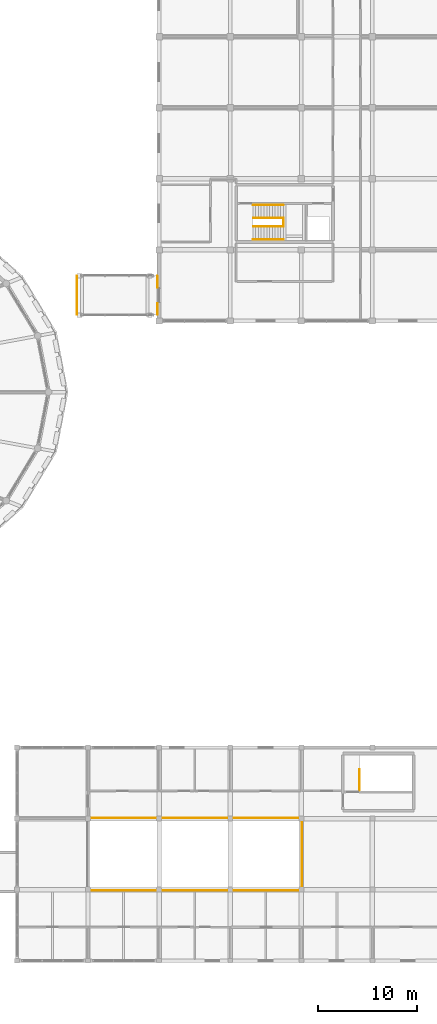
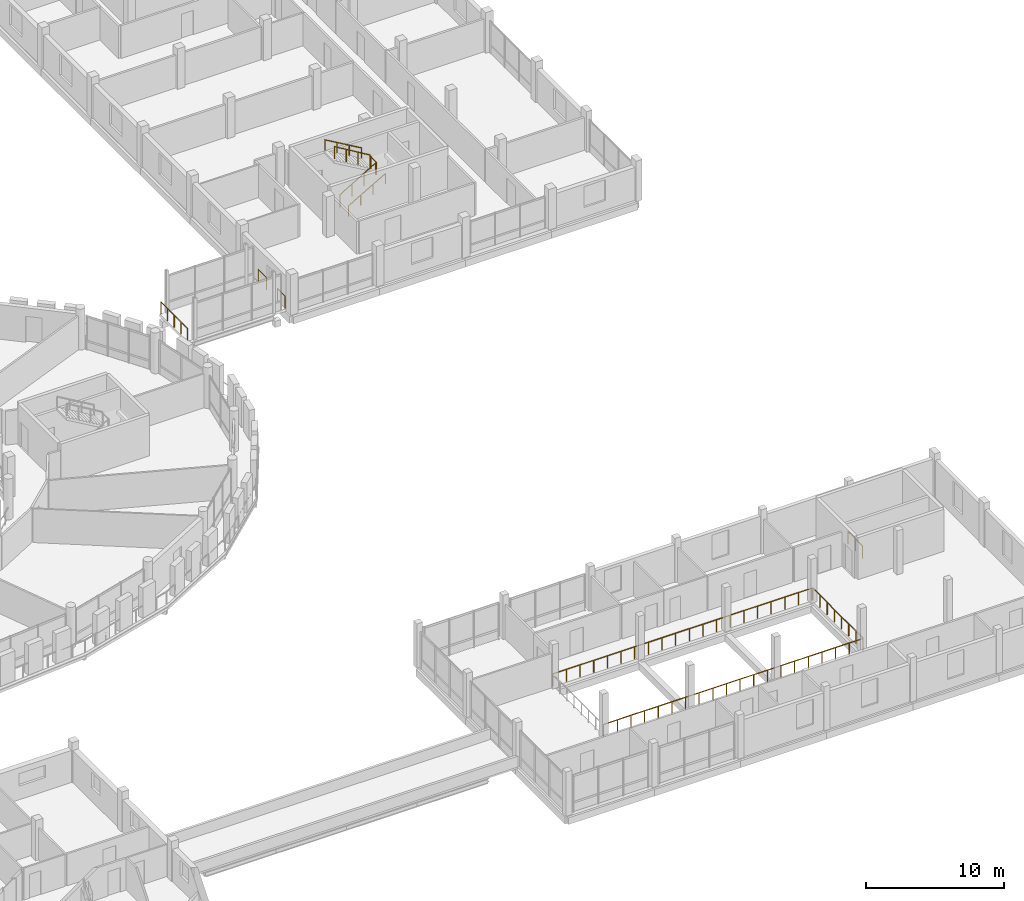
# One storey, part 127 of 128: 12 railings.
"""IFC4 building model written with IfcOpenShell, lengths in metres."""

from ifc_helpers import new_model, si_unit, direction, frame, origin, origin_2d, place, context, subcontext, project, spatial, circle, extrude, material, type_object, element, save


model = new_model("IFC4")

# Units and contexts
model_context = context("Model", 3, precision=1e-05, world=origin(), true_north=direction((0.0, 1.0)))
body_context = subcontext(model_context, "Body", "Model", "MODEL_VIEW")
ifc_project = project(units=[si_unit("LENGTHUNIT", "METRE"), si_unit("AREAUNIT", "SQUARE_METRE"), si_unit("VOLUMEUNIT", "CUBIC_METRE"), si_unit("PLANEANGLEUNIT", "RADIAN"), si_unit("MASSUNIT", "GRAM", prefix="KILO")], contexts=[model_context])

# Site, building, storey
site_placement = place(None, origin())
site = spatial("IfcSite", under=ifc_project, at=site_placement, CompositionType="ELEMENT")
building_placement = place(site_placement, origin())
building = spatial("IfcBuilding", under=site, at=building_placement, Name="Zornivar Specialist Clinic", CompositionType="ELEMENT")
storey_placement = place(building_placement, frame((0.0, 0.0, 4.5)))
storey = spatial("IfcBuildingStorey", under=building, at=storey_placement, Name="L01", CompositionType="ELEMENT", Elevation=4.5)

# Railings
ifc_material_1 = material(Name="Painted Steel and Oiled Timber Balustrade", Category="steel")
railing_type_1 = type_object("IfcRailingType", Name="GRD-EXT-BALUST-1100", PredefinedType="BALUSTRADE", material=ifc_material_1)
railing_1_placement = place(storey_placement, frame((128.4599609375, 65.4599609375, 0.0)))
element("IfcRailing", 1, at=railing_1_placement, inside=storey, type_object=railing_type_1, Name="rail:BR3:L01:endW", PredefinedType="BALUSTRADE", context=body_context, shape_type="SweptSolid", body=[
    extrude(circle(Radius=0.02392578125, at=origin_2d()), frame((0.0, 0.0, 1.076171875), z_axis=(0.0, 1.0, 0.0), x_axis=(-1.0, 0.0, 0.0)), (0.0, 0.0, 1.0), 3.880126953125),
    extrude(circle(Radius=0.02099609375, at=origin_2d()), origin(), (0.0, 0.0, 1.0), 1.052001953125),
    extrude(circle(Radius=0.02099609375, at=origin_2d()), frame((0.0, 0.969970703125, 0.0)), (0.0, 0.0, 1.0), 1.052001953125),
    extrude(circle(Radius=0.02099609375, at=origin_2d()), frame((0.0, 1.93994140625, 0.0)), (0.0, 0.0, 1.0), 1.052001953125),
    extrude(circle(Radius=0.02099609375, at=origin_2d()), frame((0.0, 2.91015625, 0.0)), (0.0, 0.0, 1.0), 1.052001953125),
    extrude(circle(Radius=0.02099609375, at=origin_2d()), frame((0.0, 3.880126953125, 0.0)), (0.0, 0.0, 1.0), 1.052001953125),
])
for number, where, name in (
    (2, (136.6201171875, 65.4599609375, 0.0), "rail:BR3:L01:endE_S"),
    (3, (136.6201171875, 68.199951171875, 0.0), "rail:BR3:L01:endE_N"),
):
    element("IfcRailing", number, at=place(storey_placement, frame(where)), inside=storey, type_object=railing_type_1, Name=name, PredefinedType="BALUSTRADE", context=body_context, shape_type="SweptSolid", body=[
        extrude(circle(Radius=0.02392578125, at=origin_2d()), frame((0.0, 0.0, 1.076171875), z_axis=(0.0, 1.0, 0.0), x_axis=(-1.0, 0.0, 0.0)), (0.0, 0.0, 1.0), 1.14013671875),
        extrude(circle(Radius=0.02099609375, at=origin_2d()), origin(), (0.0, 0.0, 1.0), 1.052001953125),
        extrude(circle(Radius=0.02099609375, at=origin_2d()), frame((0.0, 1.14013671875, 0.0)), (0.0, 0.0, 1.0), 1.052001953125),
    ])
ifc_material_2 = material(Name="Brushed Stainless Steel Stair Guardrail", Category="steel")
railing_type_2 = type_object("IfcRailingType", Name="GRD-INT-STAIR-1100", PredefinedType="GUARDRAIL", material=ifc_material_2)
railing_2_placement = place(storey_placement, frame((157.070068359375, 17.260009765625, 0.0)))
element("IfcRailing", 4, at=railing_2_placement, inside=storey, type_object=railing_type_2, Name="sg:C6:L01:topwell", PredefinedType="GUARDRAIL", context=body_context, shape_type="SweptSolid", body=[
    extrude(circle(Radius=0.02392578125, at=origin_2d()), frame((0.0, 0.0, 1.076171875), z_axis=(0.0, 1.0, 0.0), x_axis=(-1.0, 0.0, 0.0)), (0.0, 0.0, 1.0), 2.119873046875),
    extrude(circle(Radius=0.02099609375, at=origin_2d()), origin(), (0.0, 0.0, 1.0), 1.052001953125),
    extrude(circle(Radius=0.02099609375, at=origin_2d()), frame((0.0, 1.06005859375, 0.0)), (0.0, 0.0, 1.0), 1.052001953125),
    extrude(circle(Radius=0.02099609375, at=origin_2d()), frame((0.0, 2.119873046875, 0.0)), (0.0, 0.0, 1.0), 1.052001953125),
])
railing_3_placement = place(storey_placement, frame((146.340087890625, 74.3798828125, 0.162109375)))
element("IfcRailing", 5, at=railing_3_placement, inside=storey, type_object=railing_type_2, Name="stair:C9:L01:grd1", PredefinedType="GUARDRAIL", context=body_context, shape_type="SweptSolid", body=[
    extrude(circle(Radius=0.02392578125, at=origin_2d()), frame((0.0, 0.0, 1.076171875), z_axis=(0.859025016629, 0.0, 0.511933609764), x_axis=(0.0, 1.0, 0.0)), (0.0, 0.0, 1.0), 3.492431640625),
    extrude(circle(Radius=0.02099609375, at=origin_2d()), origin(), (0.0, 0.0, 1.0), 1.052001953125),
    extrude(circle(Radius=0.02099609375, at=origin_2d()), frame((1.0, 0.0, 0.595947265625)), (0.0, 0.0, 1.0), 1.052001953125),
    extrude(circle(Radius=0.02099609375, at=origin_2d()), frame((2.0, 0.0, 1.19189453125)), (0.0, 0.0, 1.0), 1.052001953125),
    extrude(circle(Radius=0.02099609375, at=origin_2d()), frame((3.0, 0.0, 1.787841796875)), (0.0, 0.0, 1.0), 1.052001953125),
])
railing_4_placement = place(storey_placement, frame((149.340087890625, 75.219970703125, 2.112060546875)))
element("IfcRailing", 6, at=railing_4_placement, inside=storey, type_object=railing_type_2, Name="stair:C9:L01:grd2", PredefinedType="GUARDRAIL", context=body_context, shape_type="SweptSolid", body=[
    extrude(circle(Radius=0.02392578125, at=origin_2d()), frame((0.0, 0.0, 1.076171875), z_axis=(-0.857511521609, 0.0, 0.514464760998), x_axis=(0.0, -1.0, 0.0)), (0.0, 0.0, 1.0), 3.47509765625),
    extrude(circle(Radius=0.02099609375, at=origin_2d()), origin(), (0.0, 0.0, 1.0), 1.052001953125),
    extrude(circle(Radius=0.02099609375, at=origin_2d()), frame((-0.993408203125, 0.0, 0.595947265625)), (0.0, 0.0, 1.0), 1.052001953125),
    extrude(circle(Radius=0.02099609375, at=origin_2d()), frame((-1.986572265625, 0.0, 1.19189453125)), (0.0, 0.0, 1.0), 1.052001953125),
    extrude(circle(Radius=0.02099609375, at=origin_2d()), frame((-2.97998046875, 0.0, 1.787841796875)), (0.0, 0.0, 1.0), 1.052001953125),
])
railing_5_placement = place(storey_placement, frame((149.409912109375, 74.3798828125, 1.949951171875)))
element("IfcRailing", 7, at=railing_5_placement, inside=storey, type_object=railing_type_2, Name="stair:C9:L01:grdl", PredefinedType="GUARDRAIL", context=body_context, shape_type="SweptSolid", body=[
    extrude(circle(Radius=0.02392578125, at=origin_2d()), frame((0.0, 0.0, 1.076171875), z_axis=(0.0, 1.0, 0.0), x_axis=(-1.0, 0.0, 0.0)), (0.0, 0.0, 1.0), 0.840087890625),
    extrude(circle(Radius=0.02099609375, at=origin_2d()), origin(), (0.0, 0.0, 1.0), 1.052001953125),
    extrude(circle(Radius=0.02099609375, at=origin_2d()), frame((0.0, 0.840087890625, 0.0)), (0.0, 0.0, 1.0), 1.052001953125),
])
railing_6_placement = place(storey_placement, frame((129.56005859375, 7.1201171875, 0.0)))
element("IfcRailing", 8, at=railing_6_placement, inside=storey, type_object=railing_type_2, Name="sg:V4:L01:void:S", PredefinedType="GUARDRAIL", context=body_context, shape_type="SweptSolid", body=[
    extrude(circle(Radius=0.02392578125, at=origin_2d()), frame((0.0, 0.0, 1.076171875), z_axis=(1.0, 0.0, 0.0), x_axis=(0.0, 1.0, 0.0)), (0.0, 0.0, 1.0), 21.679931640625),
    extrude(circle(Radius=0.02099609375, at=origin_2d()), origin(), (0.0, 0.0, 1.0), 1.052001953125),
    extrude(circle(Radius=0.02099609375, at=origin_2d()), frame((1.14111328125, 0.0, 0.0)), (0.0, 0.0, 1.0), 1.052001953125),
    extrude(circle(Radius=0.02099609375, at=origin_2d()), frame((2.281982421875, 0.0, 0.0)), (0.0, 0.0, 1.0), 1.052001953125),
    extrude(circle(Radius=0.02099609375, at=origin_2d()), frame((3.423095703125, 0.0, 0.0)), (0.0, 0.0, 1.0), 1.052001953125),
    extrude(circle(Radius=0.02099609375, at=origin_2d()), frame((4.564208984375, 0.0, 0.0)), (0.0, 0.0, 1.0), 1.052001953125),
    extrude(circle(Radius=0.02099609375, at=origin_2d()), frame((5.705322265625, 0.0, 0.0)), (0.0, 0.0, 1.0), 1.052001953125),
    extrude(circle(Radius=0.02099609375, at=origin_2d()), frame((6.84619140625, 0.0, 0.0)), (0.0, 0.0, 1.0), 1.052001953125),
    extrude(circle(Radius=0.02099609375, at=origin_2d()), frame((7.9873046875, 0.0, 0.0)), (0.0, 0.0, 1.0), 1.052001953125),
    extrude(circle(Radius=0.02099609375, at=origin_2d()), frame((9.12841796875, 0.0, 0.0)), (0.0, 0.0, 1.0), 1.052001953125),
    extrude(circle(Radius=0.02099609375, at=origin_2d()), frame((10.26953125, 0.0, 0.0)), (0.0, 0.0, 1.0), 1.052001953125),
    extrude(circle(Radius=0.02099609375, at=origin_2d()), frame((11.410400390625, 0.0, 0.0)), (0.0, 0.0, 1.0), 1.052001953125),
    extrude(circle(Radius=0.02099609375, at=origin_2d()), frame((12.551513671875, 0.0, 0.0)), (0.0, 0.0, 1.0), 1.052001953125),
    extrude(circle(Radius=0.02099609375, at=origin_2d()), frame((13.692626953125, 0.0, 0.0)), (0.0, 0.0, 1.0), 1.052001953125),
    extrude(circle(Radius=0.02099609375, at=origin_2d()), frame((14.833740234375, 0.0, 0.0)), (0.0, 0.0, 1.0), 1.052001953125),
    extrude(circle(Radius=0.02099609375, at=origin_2d()), frame((15.974609375, 0.0, 0.0)), (0.0, 0.0, 1.0), 1.052001953125),
    extrude(circle(Radius=0.02099609375, at=origin_2d()), frame((17.11572265625, 0.0, 0.0)), (0.0, 0.0, 1.0), 1.052001953125),
    extrude(circle(Radius=0.02099609375, at=origin_2d()), frame((18.2568359375, 0.0, 0.0)), (0.0, 0.0, 1.0), 1.052001953125),
    extrude(circle(Radius=0.02099609375, at=origin_2d()), frame((19.39794921875, 0.0, 0.0)), (0.0, 0.0, 1.0), 1.052001953125),
    extrude(circle(Radius=0.02099609375, at=origin_2d()), frame((20.538818359375, 0.0, 0.0)), (0.0, 0.0, 1.0), 1.052001953125),
    extrude(circle(Radius=0.02099609375, at=origin_2d()), frame((21.679931640625, 0.0, 0.0)), (0.0, 0.0, 1.0), 1.052001953125),
])
railing_7_placement = place(storey_placement, frame((151.280029296875, 7.159912109375, 0.0)))
element("IfcRailing", 9, at=railing_7_placement, inside=storey, type_object=railing_type_2, Name="sg:V4:L01:void:E", PredefinedType="GUARDRAIL", context=body_context, shape_type="SweptSolid", body=[
    extrude(circle(Radius=0.02392578125, at=origin_2d()), frame((0.0, 0.0, 1.076171875), z_axis=(0.0, 1.0, 0.0), x_axis=(-1.0, 0.0, 0.0)), (0.0, 0.0, 1.0), 7.280029296875),
    extrude(circle(Radius=0.02099609375, at=origin_2d()), origin(), (0.0, 0.0, 1.0), 1.052001953125),
    extrude(circle(Radius=0.02099609375, at=origin_2d()), frame((0.0, 1.0400390625, 0.0)), (0.0, 0.0, 1.0), 1.052001953125),
    extrude(circle(Radius=0.02099609375, at=origin_2d()), frame((0.0, 2.080078125, 0.0)), (0.0, 0.0, 1.0), 1.052001953125),
    extrude(circle(Radius=0.02099609375, at=origin_2d()), frame((0.0, 3.1201171875, 0.0)), (0.0, 0.0, 1.0), 1.052001953125),
    extrude(circle(Radius=0.02099609375, at=origin_2d()), frame((0.0, 4.159912109375, 0.0)), (0.0, 0.0, 1.0), 1.052001953125),
    extrude(circle(Radius=0.02099609375, at=origin_2d()), frame((0.0, 5.199951171875, 0.0)), (0.0, 0.0, 1.0), 1.052001953125),
    extrude(circle(Radius=0.02099609375, at=origin_2d()), frame((0.0, 6.239990234375, 0.0)), (0.0, 0.0, 1.0), 1.052001953125),
    extrude(circle(Radius=0.02099609375, at=origin_2d()), frame((0.0, 7.280029296875, 0.0)), (0.0, 0.0, 1.0), 1.052001953125),
])
railing_8_placement = place(storey_placement, frame((151.239990234375, 14.47998046875, 0.0)))
element("IfcRailing", 10, at=railing_8_placement, inside=storey, type_object=railing_type_2, Name="sg:V4:L01:void:N", PredefinedType="GUARDRAIL", context=body_context, shape_type="SweptSolid", body=[
    extrude(circle(Radius=0.02392578125, at=origin_2d()), frame((0.0, 0.0, 1.076171875), z_axis=(-1.0, 0.0, 0.0), x_axis=(0.0, -1.0, 0.0)), (0.0, 0.0, 1.0), 21.679931640625),
    extrude(circle(Radius=0.02099609375, at=origin_2d()), origin(), (0.0, 0.0, 1.0), 1.052001953125),
    extrude(circle(Radius=0.02099609375, at=origin_2d()), frame((-1.14111328125, 0.0, 0.0)), (0.0, 0.0, 1.0), 1.052001953125),
    extrude(circle(Radius=0.02099609375, at=origin_2d()), frame((-2.281982421875, 0.0, 0.0)), (0.0, 0.0, 1.0), 1.052001953125),
    extrude(circle(Radius=0.02099609375, at=origin_2d()), frame((-3.423095703125, 0.0, 0.0)), (0.0, 0.0, 1.0), 1.052001953125),
    extrude(circle(Radius=0.02099609375, at=origin_2d()), frame((-4.564208984375, 0.0, 0.0)), (0.0, 0.0, 1.0), 1.052001953125),
    extrude(circle(Radius=0.02099609375, at=origin_2d()), frame((-5.705322265625, 0.0, 0.0)), (0.0, 0.0, 1.0), 1.052001953125),
    extrude(circle(Radius=0.02099609375, at=origin_2d()), frame((-6.84619140625, 0.0, 0.0)), (0.0, 0.0, 1.0), 1.052001953125),
    extrude(circle(Radius=0.02099609375, at=origin_2d()), frame((-7.9873046875, 0.0, 0.0)), (0.0, 0.0, 1.0), 1.052001953125),
    extrude(circle(Radius=0.02099609375, at=origin_2d()), frame((-9.12841796875, 0.0, 0.0)), (0.0, 0.0, 1.0), 1.052001953125),
    extrude(circle(Radius=0.02099609375, at=origin_2d()), frame((-10.26953125, 0.0, 0.0)), (0.0, 0.0, 1.0), 1.052001953125),
    extrude(circle(Radius=0.02099609375, at=origin_2d()), frame((-11.410400390625, 0.0, 0.0)), (0.0, 0.0, 1.0), 1.052001953125),
    extrude(circle(Radius=0.02099609375, at=origin_2d()), frame((-12.551513671875, 0.0, 0.0)), (0.0, 0.0, 1.0), 1.052001953125),
    extrude(circle(Radius=0.02099609375, at=origin_2d()), frame((-13.692626953125, 0.0, 0.0)), (0.0, 0.0, 1.0), 1.052001953125),
    extrude(circle(Radius=0.02099609375, at=origin_2d()), frame((-14.833740234375, 0.0, 0.0)), (0.0, 0.0, 1.0), 1.052001953125),
    extrude(circle(Radius=0.02099609375, at=origin_2d()), frame((-15.974609375, 0.0, 0.0)), (0.0, 0.0, 1.0), 1.052001953125),
    extrude(circle(Radius=0.02099609375, at=origin_2d()), frame((-17.11572265625, 0.0, 0.0)), (0.0, 0.0, 1.0), 1.052001953125),
    extrude(circle(Radius=0.02099609375, at=origin_2d()), frame((-18.2568359375, 0.0, 0.0)), (0.0, 0.0, 1.0), 1.052001953125),
    extrude(circle(Radius=0.02099609375, at=origin_2d()), frame((-19.39794921875, 0.0, 0.0)), (0.0, 0.0, 1.0), 1.052001953125),
    extrude(circle(Radius=0.02099609375, at=origin_2d()), frame((-20.538818359375, 0.0, 0.0)), (0.0, 0.0, 1.0), 1.052001953125),
    extrude(circle(Radius=0.02099609375, at=origin_2d()), frame((-21.679931640625, 0.0, 0.0)), (0.0, 0.0, 1.0), 1.052001953125),
])
ifc_material_3 = material(Name="Brushed Stainless Steel Continuous Handrail", Category="steel")
railing_type_3 = type_object("IfcRailingType", Name="HRL-STAIR-0920", PredefinedType="HANDRAIL", material=ifc_material_3)
railing_9_placement = place(storey_placement, frame((146.300048828125, 73.070068359375, 0.162109375)))
element("IfcRailing", 11, at=railing_9_placement, inside=storey, type_object=railing_type_3, Name="stair:C9:L01:hr1", PredefinedType="HANDRAIL", context=body_context, shape_type="SweptSolid", body=[
    extrude(circle(Radius=0.02392578125, at=origin_2d()), frame((0.0, 0.0, 0.89599609375), z_axis=(0.864843680186, 0.0, 0.502041242172), x_axis=(0.0, 1.0, 0.0)), (0.0, 0.0, 1.0), 3.56103515625),
    extrude(circle(Radius=0.02099609375, at=origin_2d()), origin(), (0.0, 0.0, 1.0), 0.871826171875),
    extrude(circle(Radius=0.02099609375, at=origin_2d()), frame((1.026611328125, 0.0, 0.595947265625)), (0.0, 0.0, 1.0), 0.871826171875),
    extrude(circle(Radius=0.02099609375, at=origin_2d()), frame((2.05322265625, 0.0, 1.19189453125)), (0.0, 0.0, 1.0), 0.871826171875),
    extrude(circle(Radius=0.02099609375, at=origin_2d()), frame((3.079833984375, 0.0, 1.787841796875)), (0.0, 0.0, 1.0), 0.871826171875),
])
railing_10_placement = place(storey_placement, frame((149.3798828125, 76.530029296875, 2.112060546875)))
element("IfcRailing", 12, at=railing_10_placement, inside=storey, type_object=railing_type_3, Name="stair:C9:L01:hr2", PredefinedType="HANDRAIL", context=body_context, shape_type="SweptSolid", body=[
    extrude(circle(Radius=0.02392578125, at=origin_2d()), frame((0.0, 0.0, 0.89599609375), z_axis=(-0.863416372897, 0.0, 0.504491989047), x_axis=(0.0, -1.0, 0.0)), (0.0, 0.0, 1.0), 3.5439453125),
    extrude(circle(Radius=0.02099609375, at=origin_2d()), origin(), (0.0, 0.0, 1.0), 0.871826171875),
    extrude(circle(Radius=0.02099609375, at=origin_2d()), frame((-1.02001953125, 0.0, 0.595947265625)), (0.0, 0.0, 1.0), 0.871826171875),
    extrude(circle(Radius=0.02099609375, at=origin_2d()), frame((-2.039794921875, 0.0, 1.19189453125)), (0.0, 0.0, 1.0), 0.871826171875),
    extrude(circle(Radius=0.02099609375, at=origin_2d()), frame((-3.059814453125, 0.0, 1.787841796875)), (0.0, 0.0, 1.0), 0.871826171875),
])

save(model, "model.ifc")
